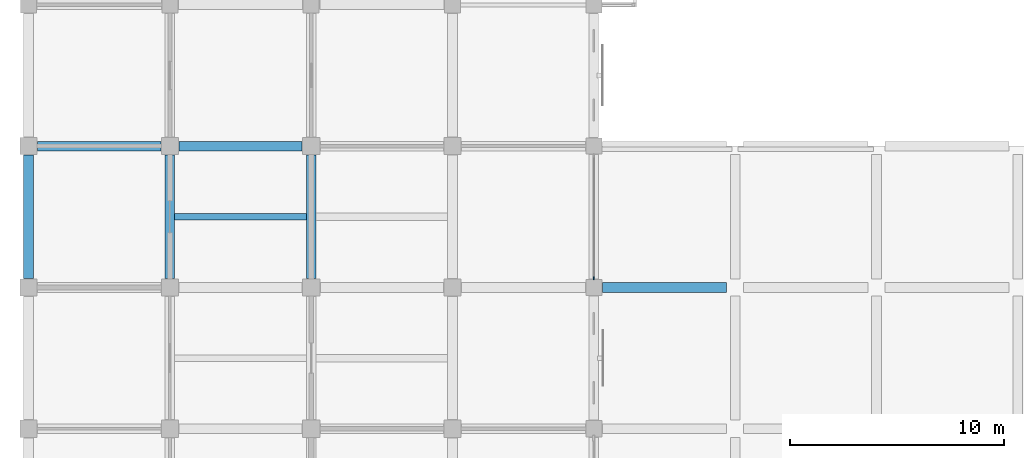
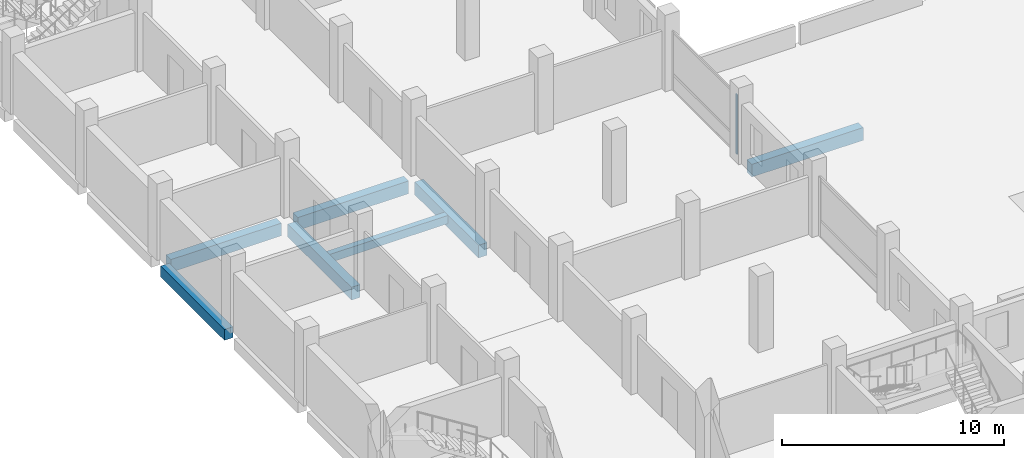
# One storey, part 6 of 23: 7 beams, 1 member, 1 element without a shape of its own.
"""IFC4 building model written with IfcOpenShell, lengths in metres."""

import ifcopenshell
import ifcopenshell.guid

model = None  # the IFC model being written
_history = None  # IfcOwnerHistory: only IFC2X3 demands one
_inside = {}  # id of a spatial element -> (the spatial element, [elements in it])
_under = {}  # id of a project, library or spatial element -> (it, [spatial elements below it])
_declared = {}  # id of a project -> (the project, [libraries it declares])
_typed = {}  # id of a type object -> (the type object, [elements of that type])
_made_of = {}  # id of a material, layer set ... -> (it, [elements and type objects made of it])


def new_model(schema):
    """Start an empty IFC model of exactly this schema.

    Asked for "IFC4X3", IfcOpenShell would pick the latest addendum, in which some entities
    have other attributes; the version numbers below select the first issue.
    IFC2X3 requires an IfcOwnerHistory on every rooted entity: one is made here for all.
    """
    global model, _history
    if schema == "IFC4X3":
        model = ifcopenshell.file(schema_version=(4, 3, 0, 0))
    else:
        model = ifcopenshell.file(schema=schema)
    _inside.clear()
    _under.clear()
    _declared.clear()
    _typed.clear()
    _made_of.clear()
    _history = None
    if model.schema == "IFC2X3":
        org = make("IfcOrganization", Name="unknown")
        user = make(
            "IfcPersonAndOrganization",
            ThePerson=make("IfcPerson", FamilyName="unknown"),
            TheOrganization=org,
        )
        app = make(
            "IfcApplication",
            ApplicationDeveloper=org,
            Version="unknown",
            ApplicationFullName="unknown",
            ApplicationIdentifier="unknown",
        )
        _history = make(
            "IfcOwnerHistory",
            OwningUser=user,
            OwningApplication=app,
            ChangeAction="ADDED",
            CreationDate=0,
        )
    return model


def make(cls, **values):
    """One entity of the class cls with the attributes given. An attribute that is None is left unset."""
    return model.create_entity(
        cls, **{name: value for name, value in values.items() if value is not None}
    )


def rooted(cls, **values):
    """An entity with a GlobalId (a new one), such as an element, a storey or a relation."""
    return make(cls, GlobalId=ifcopenshell.guid.new(), OwnerHistory=_history, **values)


def si_unit(unit_type, name, prefix=None):
    """IfcSIUnit, for example si_unit("LENGTHUNIT", "METRE", prefix="MILLI")."""
    return make("IfcSIUnit", UnitType=unit_type, Prefix=prefix, Name=name)


def assignment(units):
    """IfcUnitAssignment: the units of a project."""
    return None if units is None else make("IfcUnitAssignment", Units=units)


def point(xyz):
    """IfcCartesianPoint."""
    return None if xyz is None else make("IfcCartesianPoint", Coordinates=xyz)


def direction(xyz):
    """IfcDirection."""
    return None if xyz is None else make("IfcDirection", DirectionRatios=xyz)


def frame(location, z_axis=None, x_axis=None):
    """IfcAxis2Placement3D, a coordinate frame: its origin and axes. An axis left out is left unset."""
    return make(
        "IfcAxis2Placement3D",
        Location=point(location),
        Axis=direction(z_axis),
        RefDirection=direction(x_axis),
    )


def frame_2d(location, x_axis=None):
    """IfcAxis2Placement2D, a coordinate frame in the plane: its origin and x axis."""
    return make(
        "IfcAxis2Placement2D", Location=point(location), RefDirection=direction(x_axis)
    )


def origin():
    """The frame at (0, 0, 0) with its axes left unset."""
    return frame((0.0, 0.0, 0.0))


def origin_2d():
    """The frame at (0, 0) in the plane with its x axis left unset."""
    return frame_2d((0.0, 0.0))


def place(relative_to, where):
    """IfcLocalPlacement: puts the frame where relative to a parent placement (None: the world)."""
    return make(
        "IfcLocalPlacement", PlacementRelTo=relative_to, RelativePlacement=where
    )


def context(
    kind, dimensions, precision=None, world=None, true_north=None, identifier=None
):
    """IfcGeometricRepresentationContext, for example the 3D "Model" context."""
    return make(
        "IfcGeometricRepresentationContext",
        ContextIdentifier=identifier,
        ContextType=kind,
        CoordinateSpaceDimension=dimensions,
        Precision=precision,
        WorldCoordinateSystem=world,
        TrueNorth=true_north,
    )


def subcontext(parent, identifier, kind, view, scale=None):
    """IfcGeometricRepresentationSubContext, for example "Body" below "Model"."""
    return make(
        "IfcGeometricRepresentationSubContext",
        ContextIdentifier=identifier,
        ContextType=kind,
        ParentContext=parent,
        TargetScale=scale,
        TargetView=view,
    )


def project(units=None, contexts=None):
    """IfcProject with its units and contexts."""
    return rooted(
        "IfcProject",
        Name="project",
        RepresentationContexts=contexts,
        UnitsInContext=assignment(units),
    )


def spatial(cls, under=None, at=None, **own):
    """A site, building, storey or space (cls), placed at a placement, below another one or the project."""
    s = rooted(cls, ObjectPlacement=at, **own)
    if under is not None:
        _under.setdefault(under.id(), (under, []))[1].append(s)
    return s


def profile(cls, at=None, kind="AREA", **sizes):
    """A parametric profile (cls). Its sizes go by their IFC names, for example OverallWidth=200.0."""
    return make(cls, ProfileType=kind, Position=at, **sizes)


def rectangle(**sizes):
    """IfcRectangleProfileDef."""
    return profile("IfcRectangleProfileDef", **sizes)


def extrude(swept, where, along, depth):
    """IfcExtrudedAreaSolid: the profile swept, set in the frame where, extruded along a direction by depth."""
    return make(
        "IfcExtrudedAreaSolid",
        SweptArea=swept,
        Position=where,
        ExtrudedDirection=direction(along),
        Depth=depth,
    )


def shape(context_of_items, identifier, shape_type, items):
    """IfcShapeRepresentation: the items that make up one representation, for example the "Body"."""
    return make(
        "IfcShapeRepresentation",
        ContextOfItems=context_of_items,
        RepresentationIdentifier=identifier,
        RepresentationType=shape_type,
        Items=items,
    )


def material(Name=None, Category=None):
    """IfcMaterial."""
    return make("IfcMaterial", Name=Name, Category=Category)


def material_profile(
    of_material, cross_section, Name=None, Category=None, Priority=None
):
    """IfcMaterialProfile: a cross section and its material."""
    return make(
        "IfcMaterialProfile",
        Name=Name,
        Material=of_material,
        Profile=cross_section,
        Priority=Priority,
        Category=Category,
    )


def profile_set(profiles, Name=None, composite=None):
    """IfcMaterialProfileSet."""
    return make(
        "IfcMaterialProfileSet",
        Name=Name,
        MaterialProfiles=profiles,
        CompositeProfile=composite,
    )


def made_of(thing, what):
    """Note that an element or type object is made of a material, layer set ...; save() writes the relation."""
    if what is not None:
        _made_of.setdefault(what.id(), (what, []))[1].append(thing)
    return thing


def type_object(cls, material=None, **own):
    """A type object (cls), such as IfcWallType, which elements share."""
    return made_of(rooted(cls, **own), material)


def element(
    cls,
    number,
    at=None,
    inside=None,
    cuts=None,
    type_object=None,
    material=None,
    context=None,
    identifier="Body",
    shape_type=None,
    held_by="IfcProductDefinitionShape",
    body=None,
    shapes=None,
    **own,
):
    """One element of the class cls, such as IfcWall. Its Tag is "e" and its number.

    at: its placement. inside: the storey or other place that contains it. cuts: it is an
    opening in that element (IfcRelVoidsElement). A single representation is given by context,
    identifier, shape_type and body (its items); several are given by shapes. held_by: the class
    of the entity that holds the representations. save() writes the other relations.
    """
    e = rooted(cls, Tag="e%d" % number, ObjectPlacement=at, **own)
    if body is not None:
        shapes = [shape(context, identifier, shape_type, body)]
    if shapes is not None:
        e.Representation = make(held_by, Representations=shapes)
    if inside is not None:
        _inside.setdefault(inside.id(), (inside, []))[1].append(e)
    if cuts is not None:
        rooted(
            "IfcRelVoidsElement", RelatingBuildingElement=cuts, RelatedOpeningElement=e
        )
    if type_object is not None:
        _typed.setdefault(type_object.id(), (type_object, []))[1].append(e)
    return made_of(e, material)


def aggregate(whole, parts):
    """IfcRelAggregates: a whole, such as a stair, and the parts it consists of."""
    return rooted("IfcRelAggregates", RelatingObject=whole, RelatedObjects=parts)


def save(model, path):
    """Write the relations noted so far, then the file.

    IfcRelAggregates (storeys below a building ...), IfcRelContainedInSpatialStructure (elements
    in a storey), IfcRelDefinesByType, IfcRelAssociatesMaterial and IfcRelDeclares: one each for
    every whole, place, type object, material and project.
    """
    for whole, parts in _under.values():
        aggregate(whole, parts)
    for where, things in _inside.values():
        rooted(
            "IfcRelContainedInSpatialStructure",
            RelatedElements=things,
            RelatingStructure=where,
        )
    for kind, things in _typed.values():
        rooted("IfcRelDefinesByType", RelatedObjects=things, RelatingType=kind)
    for what, things in _made_of.values():
        rooted("IfcRelAssociatesMaterial", RelatedObjects=things, RelatingMaterial=what)
    for by, libraries in _declared.values():
        rooted("IfcRelDeclares", RelatingContext=by, RelatedDefinitions=libraries)
    model.write(path)


model = new_model("IFC4")

# Units and contexts
model_context = context("Model", 3, precision=1e-05, world=origin(), true_north=direction((0.0, 1.0)))
body_context = subcontext(model_context, "Body", "Model", "MODEL_VIEW")
ifc_project = project(units=[si_unit("LENGTHUNIT", "METRE"), si_unit("AREAUNIT", "SQUARE_METRE"), si_unit("VOLUMEUNIT", "CUBIC_METRE"), si_unit("PLANEANGLEUNIT", "RADIAN"), si_unit("MASSUNIT", "GRAM", prefix="KILO")], contexts=[model_context])

# Site, building, storey
site_placement = place(None, origin())
site = spatial("IfcSite", under=ifc_project, at=site_placement, CompositionType="ELEMENT")
building_placement = place(site_placement, origin())
building = spatial("IfcBuilding", under=site, at=building_placement, Name="Rusizi Kubbe Research Institute", CompositionType="ELEMENT")
storey_placement = place(building_placement, frame((0.0, 0.0, 18.60009765625)))
storey = spatial("IfcBuildingStorey", under=building, at=storey_placement, Name="L04", CompositionType="ELEMENT", Elevation=18.60009765625)

# Beams
ifc_material_1 = material(Name="Concrete C40/50", Category="concrete")
ifc_material_profile_1 = material_profile(ifc_material_1, rectangle(XDim=0.300048828125, YDim=0.449951171875, at=origin_2d()), Name="RC300x450")
ifc_profile_set_1 = profile_set([ifc_material_profile_1], Name="Concrete C40/50")
beam_type_1 = type_object("IfcBeamType", Name="BM-RC300x450", PredefinedType="LINTEL", material=ifc_profile_set_1)
beam_1_placement = place(storey_placement, frame((6.824951171875, 49.5, -0.565185546875), z_axis=(1.0, 0.0, 0.0), x_axis=(0.0, 1.0, 0.0)))
element("IfcBeam", 1, at=beam_1_placement, inside=storey, type_object=beam_type_1, Name="Corridor Portal Lintel Beam L04-07", PredefinedType="LINTEL", context=body_context, shape_type="SweptSolid", body=[
    extrude(rectangle(XDim=0.300048828125, YDim=0.449951171875, at=origin_2d()), origin(), (0.0, 0.0, 1.0), 6.150146484375),
])
ifc_material_2 = material(Name="Concrete C40/50", Category="concrete")
ifc_material_profile_2 = material_profile(ifc_material_2, rectangle(XDim=0.449951171875, YDim=0.60009765625, at=origin_2d()), Name="RC450x600")
ifc_profile_set_2 = profile_set([ifc_material_profile_2], Name="Concrete C40/50")
beam_type_2 = type_object("IfcBeamType", Name="BM-RC450x600", PredefinedType="SPANDREL", material=ifc_profile_set_2)
beam_2_placement = place(storey_placement, frame((0.0, 46.625, -0.64013671875), z_axis=(0.0, 1.0, 0.0), x_axis=(-1.0, 0.0, 0.0)))
element("IfcBeam", 2, at=beam_2_placement, inside=storey, type_object=beam_type_2, Name="Grid Beam V L04 (0,7)", PredefinedType="SPANDREL", context=body_context, shape_type="SweptSolid", body=[
    extrude(rectangle(XDim=0.449951171875, YDim=0.60009765625, at=origin_2d()), origin(), (0.0, 0.0, 1.0), 5.75),
])
ifc_material_3 = material(Name="Concrete C40/50", Category="concrete")
ifc_material_profile_3 = material_profile(ifc_material_3, rectangle(XDim=0.449951171875, YDim=0.699951171875, at=origin_2d()), Name="RC450x700B")
ifc_profile_set_3 = profile_set([ifc_material_profile_3], Name="Concrete C40/50")
beam_type_3 = type_object("IfcBeamType", Name="BM-RC450x700", PredefinedType="BEAM", material=ifc_profile_set_3)
for number, where, z_axis, x_axis, name in (
    (3, (0.425048828125, 52.800048828125, -0.690185546875), (1.0, 0.0, 0.0), (0.0, 1.0, 0.0), "Grid Beam H L04 (0,8)"),
    (4, (7.02490234375, 52.800048828125, -0.690185546875), (1.0, 0.0, 0.0), (0.0, 1.0, 0.0), "Grid Beam H L04 (1,8)"),
):
    element("IfcBeam", number, at=place(storey_placement, frame(where, z_axis=z_axis, x_axis=x_axis)), inside=storey, type_object=beam_type_3, Name=name, PredefinedType="BEAM", context=body_context, shape_type="SweptSolid", body=[
        extrude(rectangle(XDim=0.449951171875, YDim=0.699951171875, at=origin_2d()), origin(), (0.0, 0.0, 1.0), 5.75),
    ])
beam_3_placement = place(storey_placement, frame((26.800048828125, 46.199951171875, -0.690185546875), z_axis=(1.0, 0.0, 0.0), x_axis=(0.0, 1.0, 0.0)))
element("IfcBeam", 5, at=beam_3_placement, inside=storey, type_object=beam_type_3, Name="Grid Beam H L04 (4,7)", PredefinedType="BEAM", context=body_context, shape_type="SweptSolid", body=[
    extrude(rectangle(XDim=0.449951171875, YDim=0.699951171875, at=origin_2d()), origin(), (0.0, 0.0, 1.0), 5.800048828125),
])
for number, where, z_axis, x_axis, name in (
    (6, (6.60009765625, 46.625, -0.690185546875), (0.0, 1.0, 0.0), (-1.0, 0.0, 0.0), "Grid Beam V L04 (1,7)"),
    (7, (13.199951171875, 46.625, -0.690185546875), (0.0, 1.0, 0.0), (-1.0, 0.0, 0.0), "Grid Beam V L04 (2,7)"),
):
    element("IfcBeam", number, at=place(storey_placement, frame(where, z_axis=z_axis, x_axis=x_axis)), inside=storey, type_object=beam_type_3, Name=name, PredefinedType="BEAM", context=body_context, shape_type="SweptSolid", body=[
        extrude(rectangle(XDim=0.449951171875, YDim=0.699951171875, at=origin_2d()), origin(), (0.0, 0.0, 1.0), 5.75),
    ])

# Curtain wall, member
ifc_material_4 = material(Name="Thermally Broken Aluminium and Low-E Glazing", Category="aluminium")
curtain_wall_type = type_object("IfcCurtainWallType", Name="CW-07", PredefinedType="NOTDEFINED", material=ifc_material_4)
curtain_wall_placement = place(storey_placement, origin())
curtain_wall = element("IfcCurtainWall", 8, at=curtain_wall_placement, inside=storey, type_object=curtain_wall_type, Name="Unitised Facade Curtain Wall CW-L04-V-04-07", PredefinedType="NOTDEFINED")
ifc_material_5 = material(Name="Aluminium Alloy 6063-T6", Category="aluminium")
ifc_material_profile_4 = material_profile(ifc_material_5, rectangle(XDim=0.06005859375, YDim=0.14990234375, at=origin_2d()), Name="ALU-M 60x150")
ifc_profile_set_4 = profile_set([ifc_material_profile_4], Name="Aluminium Alloy 6063-T6")
member_type = type_object("IfcMemberType", Name="ML-01", PredefinedType="MULLION", material=ifc_profile_set_4)
member_placement = place(storey_placement, frame((26.39990234375, 46.635009765625, 0.0), z_axis=(0.0, 0.0, 1.0), x_axis=(-1.0, 0.0, 0.0)))
member = element("IfcMember", 9, at=member_placement, type_object=member_type, Name="CW-07 mullion 1", PredefinedType="MULLION", context=body_context, shape_type="SweptSolid", body=[
    extrude(rectangle(XDim=0.06005859375, YDim=0.14990234375, at=origin_2d()), origin(), (0.0, 0.0, 1.0), 3.260009765625),
])
aggregate(curtain_wall, [member])

save(model, "model.ifc")
